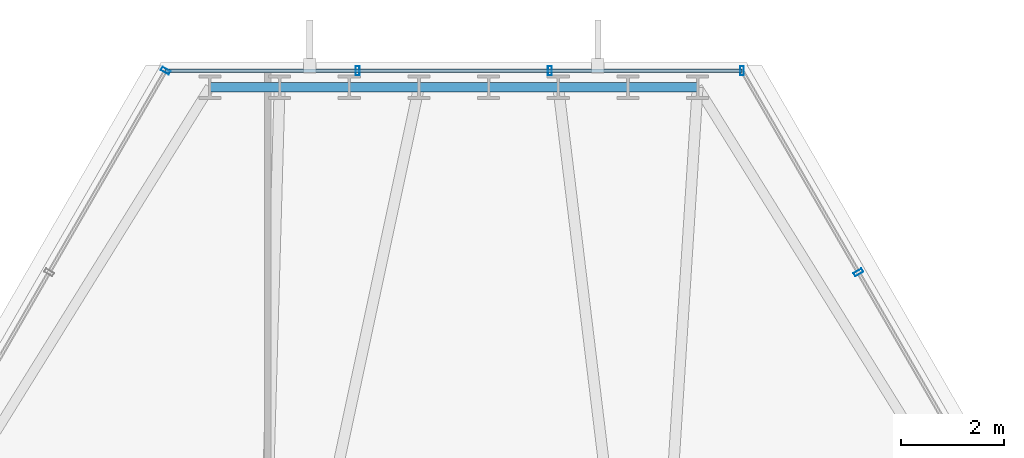
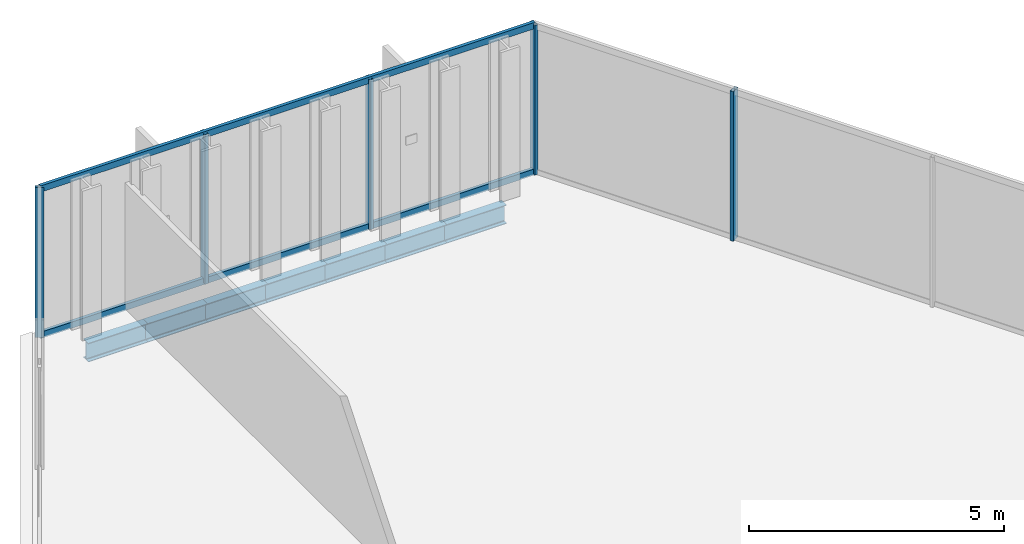
# One storey, part 23 of 33: 7 beams, 7 members, 3 elements without a shape of their own.
"""IFC4 building model written with IfcOpenShell, lengths in metres."""

import ifcopenshell
import ifcopenshell.guid

model = None  # the IFC model being written
_history = None  # IfcOwnerHistory: only IFC2X3 demands one
_inside = {}  # id of a spatial element -> (the spatial element, [elements in it])
_under = {}  # id of a project, library or spatial element -> (it, [spatial elements below it])
_declared = {}  # id of a project -> (the project, [libraries it declares])
_typed = {}  # id of a type object -> (the type object, [elements of that type])
_made_of = {}  # id of a material, layer set ... -> (it, [elements and type objects made of it])


def new_model(schema):
    """Start an empty IFC model of exactly this schema.

    Asked for "IFC4X3", IfcOpenShell would pick the latest addendum, in which some entities
    have other attributes; the version numbers below select the first issue.
    IFC2X3 requires an IfcOwnerHistory on every rooted entity: one is made here for all.
    """
    global model, _history
    if schema == "IFC4X3":
        model = ifcopenshell.file(schema_version=(4, 3, 0, 0))
    else:
        model = ifcopenshell.file(schema=schema)
    _inside.clear()
    _under.clear()
    _declared.clear()
    _typed.clear()
    _made_of.clear()
    _history = None
    if model.schema == "IFC2X3":
        org = make("IfcOrganization", Name="unknown")
        user = make(
            "IfcPersonAndOrganization",
            ThePerson=make("IfcPerson", FamilyName="unknown"),
            TheOrganization=org,
        )
        app = make(
            "IfcApplication",
            ApplicationDeveloper=org,
            Version="unknown",
            ApplicationFullName="unknown",
            ApplicationIdentifier="unknown",
        )
        _history = make(
            "IfcOwnerHistory",
            OwningUser=user,
            OwningApplication=app,
            ChangeAction="ADDED",
            CreationDate=0,
        )
    return model


def make(cls, **values):
    """One entity of the class cls with the attributes given. An attribute that is None is left unset."""
    return model.create_entity(
        cls, **{name: value for name, value in values.items() if value is not None}
    )


def rooted(cls, **values):
    """An entity with a GlobalId (a new one), such as an element, a storey or a relation."""
    return make(cls, GlobalId=ifcopenshell.guid.new(), OwnerHistory=_history, **values)


def si_unit(unit_type, name, prefix=None):
    """IfcSIUnit, for example si_unit("LENGTHUNIT", "METRE", prefix="MILLI")."""
    return make("IfcSIUnit", UnitType=unit_type, Prefix=prefix, Name=name)


def assignment(units):
    """IfcUnitAssignment: the units of a project."""
    return None if units is None else make("IfcUnitAssignment", Units=units)


def point(xyz):
    """IfcCartesianPoint."""
    return None if xyz is None else make("IfcCartesianPoint", Coordinates=xyz)


def direction(xyz):
    """IfcDirection."""
    return None if xyz is None else make("IfcDirection", DirectionRatios=xyz)


def frame(location, z_axis=None, x_axis=None):
    """IfcAxis2Placement3D, a coordinate frame: its origin and axes. An axis left out is left unset."""
    return make(
        "IfcAxis2Placement3D",
        Location=point(location),
        Axis=direction(z_axis),
        RefDirection=direction(x_axis),
    )


def frame_2d(location, x_axis=None):
    """IfcAxis2Placement2D, a coordinate frame in the plane: its origin and x axis."""
    return make(
        "IfcAxis2Placement2D", Location=point(location), RefDirection=direction(x_axis)
    )


def origin():
    """The frame at (0, 0, 0) with its axes left unset."""
    return frame((0.0, 0.0, 0.0))


def origin_2d():
    """The frame at (0, 0) in the plane with its x axis left unset."""
    return frame_2d((0.0, 0.0))


def place(relative_to, where):
    """IfcLocalPlacement: puts the frame where relative to a parent placement (None: the world)."""
    return make(
        "IfcLocalPlacement", PlacementRelTo=relative_to, RelativePlacement=where
    )


def context(
    kind, dimensions, precision=None, world=None, true_north=None, identifier=None
):
    """IfcGeometricRepresentationContext, for example the 3D "Model" context."""
    return make(
        "IfcGeometricRepresentationContext",
        ContextIdentifier=identifier,
        ContextType=kind,
        CoordinateSpaceDimension=dimensions,
        Precision=precision,
        WorldCoordinateSystem=world,
        TrueNorth=true_north,
    )


def subcontext(parent, identifier, kind, view, scale=None):
    """IfcGeometricRepresentationSubContext, for example "Body" below "Model"."""
    return make(
        "IfcGeometricRepresentationSubContext",
        ContextIdentifier=identifier,
        ContextType=kind,
        ParentContext=parent,
        TargetScale=scale,
        TargetView=view,
    )


def project(units=None, contexts=None):
    """IfcProject with its units and contexts."""
    return rooted(
        "IfcProject",
        Name="project",
        RepresentationContexts=contexts,
        UnitsInContext=assignment(units),
    )


def spatial(cls, under=None, at=None, **own):
    """A site, building, storey or space (cls), placed at a placement, below another one or the project."""
    s = rooted(cls, ObjectPlacement=at, **own)
    if under is not None:
        _under.setdefault(under.id(), (under, []))[1].append(s)
    return s


def profile(cls, at=None, kind="AREA", **sizes):
    """A parametric profile (cls). Its sizes go by their IFC names, for example OverallWidth=200.0."""
    return make(cls, ProfileType=kind, Position=at, **sizes)


def hollow_rectangle(**sizes):
    """IfcRectangleHollowProfileDef."""
    return profile("IfcRectangleHollowProfileDef", **sizes)


def i_section(**sizes):
    """IfcIShapeProfileDef."""
    return profile("IfcIShapeProfileDef", **sizes)


def extrude(swept, where, along, depth):
    """IfcExtrudedAreaSolid: the profile swept, set in the frame where, extruded along a direction by depth."""
    return make(
        "IfcExtrudedAreaSolid",
        SweptArea=swept,
        Position=where,
        ExtrudedDirection=direction(along),
        Depth=depth,
    )


def shape(context_of_items, identifier, shape_type, items):
    """IfcShapeRepresentation: the items that make up one representation, for example the "Body"."""
    return make(
        "IfcShapeRepresentation",
        ContextOfItems=context_of_items,
        RepresentationIdentifier=identifier,
        RepresentationType=shape_type,
        Items=items,
    )


def material(Name=None, Category=None):
    """IfcMaterial."""
    return make("IfcMaterial", Name=Name, Category=Category)


def layer(
    of_material, thickness, ventilated=None, Name=None, Category=None, Priority=None
):
    """IfcMaterialLayer: one layer of a wall or slab, of a material (None: an air gap)."""
    return make(
        "IfcMaterialLayer",
        Material=of_material,
        LayerThickness=thickness,
        IsVentilated=ventilated,
        Name=Name,
        Category=Category,
        Priority=Priority,
    )


def layer_set(layers, Name=None):
    """IfcMaterialLayerSet."""
    return make("IfcMaterialLayerSet", MaterialLayers=layers, LayerSetName=Name)


def material_profile(
    of_material, cross_section, Name=None, Category=None, Priority=None
):
    """IfcMaterialProfile: a cross section and its material."""
    return make(
        "IfcMaterialProfile",
        Name=Name,
        Material=of_material,
        Profile=cross_section,
        Priority=Priority,
        Category=Category,
    )


def profile_set(profiles, Name=None, composite=None):
    """IfcMaterialProfileSet."""
    return make(
        "IfcMaterialProfileSet",
        Name=Name,
        MaterialProfiles=profiles,
        CompositeProfile=composite,
    )


def made_of(thing, what):
    """Note that an element or type object is made of a material, layer set ...; save() writes the relation."""
    if what is not None:
        _made_of.setdefault(what.id(), (what, []))[1].append(thing)
    return thing


def type_object(cls, material=None, **own):
    """A type object (cls), such as IfcWallType, which elements share."""
    return made_of(rooted(cls, **own), material)


def element(
    cls,
    number,
    at=None,
    inside=None,
    cuts=None,
    type_object=None,
    material=None,
    context=None,
    identifier="Body",
    shape_type=None,
    held_by="IfcProductDefinitionShape",
    body=None,
    shapes=None,
    **own,
):
    """One element of the class cls, such as IfcWall. Its Tag is "e" and its number.

    at: its placement. inside: the storey or other place that contains it. cuts: it is an
    opening in that element (IfcRelVoidsElement). A single representation is given by context,
    identifier, shape_type and body (its items); several are given by shapes. held_by: the class
    of the entity that holds the representations. save() writes the other relations.
    """
    e = rooted(cls, Tag="e%d" % number, ObjectPlacement=at, **own)
    if body is not None:
        shapes = [shape(context, identifier, shape_type, body)]
    if shapes is not None:
        e.Representation = make(held_by, Representations=shapes)
    if inside is not None:
        _inside.setdefault(inside.id(), (inside, []))[1].append(e)
    if cuts is not None:
        rooted(
            "IfcRelVoidsElement", RelatingBuildingElement=cuts, RelatedOpeningElement=e
        )
    if type_object is not None:
        _typed.setdefault(type_object.id(), (type_object, []))[1].append(e)
    return made_of(e, material)


def aggregate(whole, parts):
    """IfcRelAggregates: a whole, such as a stair, and the parts it consists of."""
    return rooted("IfcRelAggregates", RelatingObject=whole, RelatedObjects=parts)


def save(model, path):
    """Write the relations noted so far, then the file.

    IfcRelAggregates (storeys below a building ...), IfcRelContainedInSpatialStructure (elements
    in a storey), IfcRelDefinesByType, IfcRelAssociatesMaterial and IfcRelDeclares: one each for
    every whole, place, type object, material and project.
    """
    for whole, parts in _under.values():
        aggregate(whole, parts)
    for where, things in _inside.values():
        rooted(
            "IfcRelContainedInSpatialStructure",
            RelatedElements=things,
            RelatingStructure=where,
        )
    for kind, things in _typed.values():
        rooted("IfcRelDefinesByType", RelatedObjects=things, RelatingType=kind)
    for what, things in _made_of.values():
        rooted("IfcRelAssociatesMaterial", RelatedObjects=things, RelatingMaterial=what)
    for by, libraries in _declared.values():
        rooted("IfcRelDeclares", RelatingContext=by, RelatedDefinitions=libraries)
    model.write(path)


model = new_model("IFC4")

# Units and contexts
model_context = context("Model", 3, precision=1e-05, world=origin(), true_north=direction((0.0, 1.0)))
body_context = subcontext(model_context, "Body", "Model", "MODEL_VIEW")
ifc_project = project(units=[si_unit("LENGTHUNIT", "METRE"), si_unit("AREAUNIT", "SQUARE_METRE"), si_unit("VOLUMEUNIT", "CUBIC_METRE"), si_unit("PLANEANGLEUNIT", "RADIAN"), si_unit("MASSUNIT", "GRAM", prefix="KILO")], contexts=[model_context])

# Site, building, storey
site_placement = place(None, origin())
site = spatial("IfcSite", under=ifc_project, at=site_placement, CompositionType="ELEMENT")
building_placement = place(site_placement, origin())
building = spatial("IfcBuilding", under=site, at=building_placement, Name="Ndaravel Arena Tower", CompositionType="ELEMENT")
storey_placement = place(building_placement, frame((0.0, 0.0, 149.800048828125)))
storey = spatial("IfcBuildingStorey", under=building, at=storey_placement, Name="L35", CompositionType="ELEMENT", Elevation=149.800048828125)

# Beams
ifc_material_1 = material(Name="Steel S355", Category="steel")
ifc_material_profile_1 = material_profile(ifc_material_1, i_section(OverallWidth=0.18994140625, OverallDepth=0.449951171875, WebThickness=0.009521484375, FlangeThickness=0.0146484375, FilletRadius=0.02099609375, at=origin_2d()), Name="IPE 450")
ifc_profile_set_1 = profile_set([ifc_material_profile_1], Name="Steel S355")
beam_type = type_object("IfcBeamType", Name="BM-SPAN-IPE450", PredefinedType="SPANDREL", material=ifc_profile_set_1)
for number, where, z_axis, x_axis, name in (
    (1, (46.731201171875, 45.833740234375, -0.445068359375), (-1.0, 0.0, 0.0), (0.0, -1.0, 0.0), "L35 Perimeter Spandrel Beam SP-11"),
    (2, (45.37939453125, 45.833740234375, -0.445068359375), (-1.0, 0.0, 0.0), (0.0, -1.0, 0.0), "L35 Perimeter Spandrel Beam SP-12"),
    (3, (44.027587890625, 45.833740234375, -0.445068359375), (-1.0, 0.0, 0.0), (0.0, -1.0, 0.0), "L35 Perimeter Spandrel Beam SP-13"),
):
    element("IfcBeam", number, at=place(storey_placement, frame(where, z_axis=z_axis, x_axis=x_axis)), inside=storey, type_object=beam_type, Name=name, PredefinedType="SPANDREL", context=body_context, shape_type="SweptSolid", body=[
        extrude(i_section(OverallWidth=0.18994140625, OverallDepth=0.449951171875, WebThickness=0.009521484375, FlangeThickness=0.0146484375, FilletRadius=0.02099609375, at=origin_2d()), origin(), (0.0, 0.0, 1.0), 1.351806640625),
    ])
beam_placement = place(storey_placement, frame((42.67578125, 45.833740234375, -0.445068359375), z_axis=(-1.0, 0.0, 0.0), x_axis=(0.0, -1.0, 0.0)))
element("IfcBeam", 4, at=beam_placement, inside=storey, type_object=beam_type, Name="L35 Perimeter Spandrel Beam SP-14", PredefinedType="SPANDREL", context=body_context, shape_type="SweptSolid", body=[
    extrude(i_section(OverallWidth=0.18994140625, OverallDepth=0.449951171875, WebThickness=0.009521484375, FlangeThickness=0.0146484375, FilletRadius=0.02099609375, at=origin_2d()), origin(), (0.0, 0.0, 1.0), 1.3515625),
])
for number, where, z_axis, x_axis, name in (
    (5, (41.32421875, 45.833740234375, -0.445068359375), (-1.0, 0.0, 0.0), (0.0, -1.0, 0.0), "L35 Perimeter Spandrel Beam SP-15"),
    (6, (39.972412109375, 45.833740234375, -0.445068359375), (-1.0, 0.0, 0.0), (0.0, -1.0, 0.0), "L35 Perimeter Spandrel Beam SP-16"),
    (7, (38.62060546875, 45.833740234375, -0.445068359375), (-1.0, 0.0, 0.0), (0.0, -1.0, 0.0), "L35 Perimeter Spandrel Beam SP-17"),
):
    element("IfcBeam", number, at=place(storey_placement, frame(where, z_axis=z_axis, x_axis=x_axis)), inside=storey, type_object=beam_type, Name=name, PredefinedType="SPANDREL", context=body_context, shape_type="SweptSolid", body=[
        extrude(i_section(OverallWidth=0.18994140625, OverallDepth=0.449951171875, WebThickness=0.009521484375, FlangeThickness=0.0146484375, FilletRadius=0.02099609375, at=origin_2d()), origin(), (0.0, 0.0, 1.0), 1.351806640625),
    ])

# Curtain wall, member
ifc_material_2 = material(Name="Aluminium", Category="aluminium")
ifc_layer_1 = layer(ifc_material_2, 0.179931640625)
ifc_layer_set_1 = layer_set([ifc_layer_1], Name="Aluminium")
curtain_wall_type_1 = type_object("IfcCurtainWallType", Name="CW-SYS-03", PredefinedType="NOTDEFINED", material=ifc_layer_set_1)
curtain_wall_1_placement = place(storey_placement, origin())
curtain_wall_1 = element("IfcCurtainWall", 8, at=curtain_wall_1_placement, inside=storey, type_object=curtain_wall_type_1, Name="L35 Faceted Crystal Curtain Wall CW-L35-E03", PredefinedType="NOTDEFINED")
ifc_material_3 = material(Name="Aluminium", Category="aluminium")
ifc_material_profile_2 = material_profile(ifc_material_3, hollow_rectangle(XDim=0.074951171875, YDim=0.179931640625, WallThickness=0.00390625, at=origin_2d()), Name="CW MULLION 75x180x4")
ifc_profile_set_2 = profile_set([ifc_material_profile_2], Name="Aluminium")
member_type_1 = type_object("IfcMemberType", Name="MEM-CW-MUL180", PredefinedType="MULLION", material=ifc_profile_set_2)
member_1_placement = place(storey_placement, frame((49.851318359375, 42.240234375, 0.0), z_axis=(0.0, 0.0, 1.0), x_axis=(-0.5, 0.866025403784, 0.0)))
member_1 = element("IfcMember", 9, at=member_1_placement, type_object=member_type_1, Name="CW-L35-E03 Mullion 07", PredefinedType="MULLION", context=body_context, shape_type="SweptSolid", body=[
    extrude(hollow_rectangle(XDim=0.074951171875, YDim=0.179931640625, WallThickness=0.00390625, at=origin_2d()), origin(), (0.0, 0.0, 1.0), 3.579833984375),
])
aggregate(curtain_wall_1, [member_1])

# Curtain wall, members
ifc_material_4 = material(Name="Aluminium", Category="aluminium")
ifc_layer_2 = layer(ifc_material_4, 0.179931640625)
ifc_layer_set_2 = layer_set([ifc_layer_2], Name="Aluminium")
curtain_wall_type_2 = type_object("IfcCurtainWallType", Name="CW-SYS-01", PredefinedType="NOTDEFINED", material=ifc_layer_set_2)
curtain_wall_2_placement = place(storey_placement, origin())
curtain_wall_2 = element("IfcCurtainWall", 10, at=curtain_wall_2_placement, inside=storey, type_object=curtain_wall_type_2, Name="L35 Faceted Crystal Curtain Wall CW-L35-E04", PredefinedType="NOTDEFINED")
member_2_placement = place(storey_placement, frame((47.591796875, 46.15380859375, 0.0), z_axis=(0.0, 0.0, 1.0), x_axis=(-1.0, 0.0, 0.0)))
member_2 = element("IfcMember", 11, at=member_2_placement, type_object=member_type_1, Name="CW-L35-E04 Mullion 00", PredefinedType="MULLION", context=body_context, shape_type="SweptSolid", body=[
    extrude(hollow_rectangle(XDim=0.074951171875, YDim=0.179931640625, WallThickness=0.00390625, at=origin_2d()), origin(), (0.0, 0.0, 1.0), 3.579833984375),
])
member_3_placement = place(storey_placement, frame((43.864013671875, 46.15380859375, 0.0), z_axis=(0.0, 0.0, 1.0), x_axis=(-1.0, 0.0, 0.0)))
member_3 = element("IfcMember", 12, at=member_3_placement, type_object=member_type_1, Name="CW-L35-E04 Mullion 01", PredefinedType="MULLION", context=body_context, shape_type="SweptSolid", body=[
    extrude(hollow_rectangle(XDim=0.074951171875, YDim=0.179931640625, WallThickness=0.00390625, at=origin_2d()), origin(), (0.0, 0.0, 1.0), 3.579833984375),
])
member_4_placement = place(storey_placement, frame((40.135986328125, 46.15380859375, 0.0), z_axis=(0.0, 0.0, 1.0), x_axis=(-1.0, 0.0, 0.0)))
member_4 = element("IfcMember", 13, at=member_4_placement, type_object=member_type_1, Name="CW-L35-E04 Mullion 02", PredefinedType="MULLION", context=body_context, shape_type="SweptSolid", body=[
    extrude(hollow_rectangle(XDim=0.074951171875, YDim=0.179931640625, WallThickness=0.00390625, at=origin_2d()), origin(), (0.0, 0.0, 1.0), 3.579833984375),
])

# Curtain wall, member
curtain_wall_3_placement = place(storey_placement, origin())
curtain_wall_3 = element("IfcCurtainWall", 14, at=curtain_wall_3_placement, inside=storey, type_object=curtain_wall_type_1, Name="L35 Faceted Crystal Curtain Wall CW-L35-E05", PredefinedType="NOTDEFINED")
member_5_placement = place(storey_placement, frame((36.408203125, 46.15380859375, 0.0), z_axis=(0.0, 0.0, 1.0), x_axis=(-0.5, -0.866025403784, 0.0)))
member_5 = element("IfcMember", 15, at=member_5_placement, type_object=member_type_1, Name="CW-L35-E05 Mullion 00", PredefinedType="MULLION", context=body_context, shape_type="SweptSolid", body=[
    extrude(hollow_rectangle(XDim=0.074951171875, YDim=0.179931640625, WallThickness=0.00390625, at=origin_2d()), origin(), (0.0, 0.0, 1.0), 3.579833984375),
])
aggregate(curtain_wall_3, [member_5])

# Member
ifc_material_5 = material(Name="Aluminium", Category="aluminium")
ifc_material_profile_3 = material_profile(ifc_material_5, hollow_rectangle(XDim=0.074951171875, YDim=0.14990234375, WallThickness=0.00390625, at=origin_2d()), Name="CW TRANSOM 75x150x4")
ifc_profile_set_3 = profile_set([ifc_material_profile_3], Name="Aluminium")
member_type_2 = type_object("IfcMemberType", Name="MEM-CW-TRN150", PredefinedType="USERDEFINED", material=ifc_profile_set_3)
member_6_placement = place(storey_placement, frame((47.591796875, 46.15380859375, 0.0400390625), z_axis=(-1.0, 0.0, 0.0), x_axis=(0.0, -1.0, 0.0)))
member_6 = element("IfcMember", 16, at=member_6_placement, type_object=member_type_2, Name="CW-L35-E04 Transom 01", ObjectType="TRANSOM", PredefinedType="USERDEFINED", context=body_context, shape_type="SweptSolid", body=[
    extrude(hollow_rectangle(XDim=0.074951171875, YDim=0.14990234375, WallThickness=0.00390625, at=origin_2d()), origin(), (0.0, 0.0, 1.0), 11.18359375),
])

member_7_placement = place(storey_placement, frame((47.591796875, 46.15380859375, 3.5400390625), z_axis=(-1.0, 0.0, 0.0), x_axis=(0.0, -1.0, 0.0)))
member_7 = element("IfcMember", 17, at=member_7_placement, type_object=member_type_2, Name="CW-L35-E04 Transom 02", ObjectType="TRANSOM", PredefinedType="USERDEFINED", context=body_context, shape_type="SweptSolid", body=[
    extrude(hollow_rectangle(XDim=0.074951171875, YDim=0.14990234375, WallThickness=0.00390625, at=origin_2d()), origin(), (0.0, 0.0, 1.0), 11.18359375),
])

aggregate(curtain_wall_2, [member_2, member_3, member_4, member_6, member_7])

save(model, "model.ifc")
